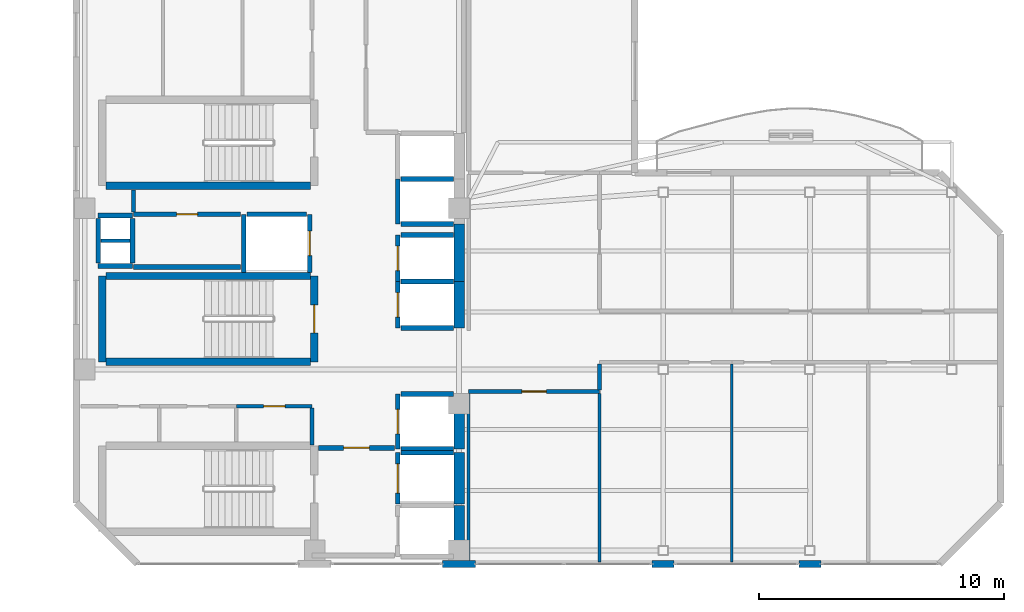
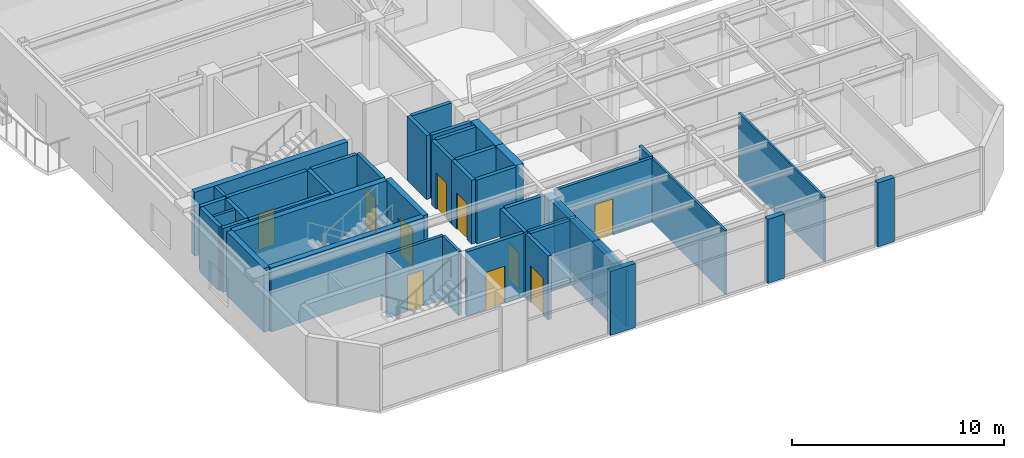
# One storey, part 9 of 14: 45 walls, 10 doors, 10 openings.
"""IFC4 building model written with IfcOpenShell, lengths in metres."""

from ifc_helpers import new_model, si_unit, direction, frame, frame_2d, origin, place, context, subcontext, project, spatial, rectangle, extrude, material, layer, layer_set, type_object, element, fill, save


model = new_model("IFC4")

# Units and contexts
model_context = context("Model", 3, precision=1e-05, world=origin(), true_north=direction((0.0, 1.0)))
body_context = subcontext(model_context, "Body", "Model", "MODEL_VIEW")
ifc_project = project(units=[si_unit("LENGTHUNIT", "METRE"), si_unit("AREAUNIT", "SQUARE_METRE"), si_unit("VOLUMEUNIT", "CUBIC_METRE"), si_unit("PLANEANGLEUNIT", "RADIAN"), si_unit("MASSUNIT", "GRAM", prefix="KILO")], contexts=[model_context])

# Site, building, storey
site_placement = place(None, origin())
site = spatial("IfcSite", under=ifc_project, at=site_placement, CompositionType="ELEMENT")
building_placement = place(site_placement, origin())
building = spatial("IfcBuilding", under=site, at=building_placement, Name="Mawjaban Terraces University", CompositionType="ELEMENT")
storey_placement = place(building_placement, frame((0.0, 0.0, 256.0)))
storey = spatial("IfcBuildingStorey", under=building, at=storey_placement, Name="L62", CompositionType="ELEMENT", Elevation=256.0)

# Walls
ifc_material_1 = material(Name="Concrete C50/60", Category="concrete")
ifc_layer_1 = layer(ifc_material_1, 0.419921875)
ifc_layer_set_1 = layer_set([ifc_layer_1], Name="Concrete C50/60")
wall_type_1 = type_object("IfcWallType", Name="CoreShearWall_420", PredefinedType="SHEAR", material=ifc_layer_set_1)
wall_1_placement = place(storey_placement, frame((37.659912109375, 0.300048828125, 0.0), z_axis=(0.0, 0.0, 1.0), x_axis=(0.0, 1.0, 0.0)))
element("IfcWall", 1, at=wall_1_placement, inside=storey, type_object=wall_type_1, Name="L62 Lift FL-1 Hoistway Wall East", PredefinedType="SHEAR", context=body_context, shape_type="SweptSolid", body=[
    extrude(rectangle(XDim=2.099853515625, YDim=0.419921875, at=frame_2d((1.0498046875, 0.0))), origin(), (0.0, 0.0, 1.0), 3.68994140625),
])
wall_2_placement = place(storey_placement, frame((37.659912109375, 2.449951171875, 0.0), z_axis=(0.0, 0.0, 1.0), x_axis=(0.0, 1.0, 0.0)))
element("IfcWall", 2, at=wall_2_placement, inside=storey, type_object=wall_type_1, Name="L62 Lift FL-2 Hoistway Wall East", PredefinedType="SHEAR", context=body_context, shape_type="SweptSolid", body=[
    extrude(rectangle(XDim=2.10009765625, YDim=0.419921875, at=frame_2d((1.050048828125, 0.0))), origin(), (0.0, 0.0, 1.0), 3.68994140625),
])
wall_3_placement = place(storey_placement, frame((37.659912109375, 4.699951171875, 0.0), z_axis=(0.0, 0.0, 1.0), x_axis=(0.0, 1.0, 0.0)))
element("IfcWall", 3, at=wall_3_placement, inside=storey, type_object=wall_type_1, Name="L62 Lift SL-1 Hoistway Wall East", PredefinedType="SHEAR", context=body_context, shape_type="SweptSolid", body=[
    extrude(rectangle(XDim=2.25, YDim=0.419921875, at=frame_2d((1.125, 0.0))), origin(), (0.0, 0.0, 1.0), 3.68994140625),
])
wall_4_placement = place(storey_placement, frame((37.659912109375, 9.64990234375, 0.0), z_axis=(0.0, 0.0, 1.0), x_axis=(0.0, 1.0, 0.0)))
element("IfcWall", 4, at=wall_4_placement, inside=storey, type_object=wall_type_1, Name="L62 Lift PL-H1 Hoistway Wall East", PredefinedType="SHEAR", context=body_context, shape_type="SweptSolid", body=[
    extrude(rectangle(XDim=1.900146484375, YDim=0.419921875, at=frame_2d((0.9501953125, 0.0))), origin(), (0.0, 0.0, 1.0), 3.68994140625),
])
wall_5_placement = place(storey_placement, frame((37.659912109375, 11.550048828125, 0.0), z_axis=(0.0, 0.0, 1.0), x_axis=(0.0, 1.0, 0.0)))
element("IfcWall", 5, at=wall_5_placement, inside=storey, type_object=wall_type_1, Name="L62 Lift PL-H2 Hoistway Wall East", PredefinedType="SHEAR", context=body_context, shape_type="SweptSolid", body=[
    extrude(rectangle(XDim=2.349853515625, YDim=0.419921875, at=frame_2d((1.1748046875, 0.0))), origin(), (0.0, 0.0, 1.0), 3.68994140625),
])

# Wall, opening, door
ifc_material_2 = material(Name="Fire-rated gypsum board on steel stud", Category="steel")
ifc_layer_2 = layer(ifc_material_2, 0.159912109375)
ifc_layer_set_2 = layer_set([ifc_layer_2], Name="Fire-rated gypsum board on steel stud")
wall_type_2 = type_object("IfcWallType", Name="CorridorPartition_160", PredefinedType="PARTITIONING", material=ifc_layer_set_2)
wall_6_placement = place(storey_placement, frame((28.550048828125, 6.449951171875, 0.0), z_axis=(0.0, 0.0, 1.0), x_axis=(1.0, 0.0, 0.0)))
wall_6 = element("IfcWall", 6, at=wall_6_placement, inside=storey, type_object=wall_type_2, Name="L62 Core Washroom Lobby Partition 6", PredefinedType="PARTITIONING", context=body_context, shape_type="SweptSolid", body=[
    extrude(rectangle(XDim=3.099853515625, YDim=0.159912109375, at=frame_2d((1.5498046875, 0.0))), origin(), (0.0, 0.0, 1.0), 3.68994140625),
])
opening_1_placement = place(wall_6_placement, frame((1.110107421875, 0.0, 0.0)))
opening_1 = element("IfcOpeningElement", 7, at=opening_1_placement, cuts=wall_6, Name="Opening ID-088", PredefinedType="OPENING", context=body_context, shape_type="SweptSolid", body=[
    extrude(rectangle(XDim=0.8798828125, YDim=2.10009765625, at=frame_2d((0.43994140625, 1.050048828125))), frame((0.0, 0.08984375, 0.0), z_axis=(0.0, -1.0, 0.0), x_axis=(1.0, 0.0, 0.0)), (0.0, 0.0, 1.0), 0.179931640625),
])
ifc_material_3 = material(Name="Powder-coated steel frame and solid acoustic timber leaf", Category="steel")
door_type_1 = type_object("IfcDoorType", Name="ToiletDoor_880x2100", OperationType="NOTDEFINED", PredefinedType="DOOR", material=ifc_material_3)
door_1_placement = place(opening_1_placement, origin())
door_1 = element("IfcDoor", 8, at=door_1_placement, inside=storey, type_object=door_type_1, Name="L62 Accessible Toilet Door", OperationType="SINGLE_SWING_RIGHT", OverallHeight=2.10009765625, OverallWidth=0.8798828125, PredefinedType="DOOR", context=body_context, shape_type="SweptSolid", body=[
    extrude(rectangle(XDim=0.8798828125, YDim=2.10009765625, at=frame_2d((0.43994140625, 1.050048828125))), frame((0.0, 0.02490234375, 0.0), z_axis=(0.0, -1.0, 0.0), x_axis=(1.0, 0.0, 0.0)), (0.0, 0.0, 1.0), 0.050048828125),
])
fill(opening_1, door_1)

wall_7_placement = place(storey_placement, frame((38.050048828125, 7.050048828125, 0.0), z_axis=(0.0, 0.0, 1.0), x_axis=(1.0, 0.0, 0.0)))
wall_7 = element("IfcWall", 9, at=wall_7_placement, inside=storey, type_object=wall_type_2, Name="L62 Upper Research Hub Concourse Partition 16", PredefinedType="PARTITIONING", context=body_context, shape_type="SweptSolid", body=[
    extrude(rectangle(XDim=5.349853515625, YDim=0.159912109375, at=frame_2d((2.6748046875, 0.0))), origin(), (0.0, 0.0, 1.0), 3.68994140625),
])
opening_2_placement = place(wall_7_placement, frame((2.175048828125, 0.0, 0.0)))
opening_2 = element("IfcOpeningElement", 10, at=opening_2_placement, cuts=wall_7, Name="Opening ID-100", PredefinedType="OPENING", context=body_context, shape_type="SweptSolid", body=[
    extrude(rectangle(XDim=1.0, YDim=2.10009765625, at=frame_2d((0.5, 1.050048828125))), frame((0.0, 0.08984375, 0.0), z_axis=(0.0, -1.0, 0.0), x_axis=(1.0, 0.0, 0.0)), (0.0, 0.0, 1.0), 0.179931640625),
])
door_type_2 = type_object("IfcDoorType", Name="ClassroomDoor_1000x2100", OperationType="NOTDEFINED", PredefinedType="DOOR", material=ifc_material_3)
door_2_placement = place(opening_2_placement, origin())
door_2 = element("IfcDoor", 11, at=door_2_placement, inside=storey, type_object=door_type_2, Name="L62 Classroom 1 Door", OperationType="SINGLE_SWING_RIGHT", OverallHeight=2.10009765625, OverallWidth=1.0, PredefinedType="DOOR", context=body_context, shape_type="SweptSolid", body=[
    extrude(rectangle(XDim=1.0, YDim=2.10009765625, at=frame_2d((0.5, 1.050048828125))), frame((0.0, 0.02490234375, 0.0), z_axis=(0.0, -1.0, 0.0), x_axis=(1.0, 0.0, 0.0)), (0.0, 0.0, 1.0), 0.050048828125),
])
fill(opening_2, door_2)

# Walls
wall_8_placement = place(storey_placement, frame((24.35009765625, 15.2900390625, 0.0), z_axis=(0.0, 0.0, 1.0), x_axis=(0.0, -1.0, 0.0)))
element("IfcWall", 12, at=wall_8_placement, inside=storey, type_object=wall_type_2, Name="L62 Core Riser Access Passage Partition 25", PredefinedType="PARTITIONING", context=body_context, shape_type="SweptSolid", body=[
    extrude(rectangle(XDim=0.89501953125, YDim=0.159912109375, at=frame_2d((0.447509765625, 0.0))), origin(), (0.0, 0.0, 1.0), 3.68994140625),
])
wall_9_placement = place(storey_placement, frame((31.64990234375, 4.860107421875, 0.0), z_axis=(0.0, 0.0, 1.0), x_axis=(0.0, 1.0, 0.0)))
element("IfcWall", 13, at=wall_9_placement, inside=storey, type_object=wall_type_2, Name="L62 Accessible Toilet Partition 30", PredefinedType="PARTITIONING", context=body_context, shape_type="SweptSolid", body=[
    extrude(rectangle(XDim=1.514892578125, YDim=0.159912109375, at=frame_2d((0.75732421875, 0.0))), origin(), (0.0, 0.0, 1.0), 3.68994140625),
])
wall_10_placement = place(storey_placement, frame((43.39990234375, 7.125, 0.0), z_axis=(0.0, 0.0, 1.0), x_axis=(0.0, 1.0, 0.0)))
element("IfcWall", 14, at=wall_10_placement, inside=storey, type_object=wall_type_2, Name="L62 Upper Research Hub Concourse Partition 42", PredefinedType="PARTITIONING", context=body_context, shape_type="SweptSolid", body=[
    extrude(rectangle(XDim=1.050048828125, YDim=0.159912109375, at=frame_2d((0.52490234375, 0.0))), origin(), (0.0, 0.0, 1.0), 3.68994140625),
])
ifc_material_4 = material(Name="Insulated terracotta rainscreen on concrete backup C40/50", Category="masonry")
ifc_layer_3 = layer(ifc_material_4, 0.27490234375)
ifc_layer_set_3 = layer_set([ifc_layer_3], Name="Insulated terracotta rainscreen on concrete backup C40/50")
wall_type_3 = type_object("IfcWallType", Name="ExtTerracottaWall_275", PredefinedType="SOLIDWALL", material=ifc_layer_set_3)
wall_11_placement = place(storey_placement, frame((36.97509765625, 0.0, 0.0), z_axis=(0.0, 0.0, 1.0), x_axis=(1.0, 0.0, 0.0)))
element("IfcWall", 15, at=wall_11_placement, inside=storey, type_object=wall_type_3, Name="L62 Exterior Terracotta Pier Wall 1.2", PredefinedType="SOLIDWALL", context=body_context, shape_type="SweptSolid", body=[
    extrude(rectangle(XDim=1.349853515625, YDim=0.27490234375, at=frame_2d((0.6748046875, 0.0))), origin(), (0.0, 0.0, 1.0), 3.68994140625),
])
for number, where, z_axis, x_axis, name in (
    (16, (45.550048828125, 0.0, 0.0), (0.0, 0.0, 1.0), (1.0, 0.0, 0.0), "L62 Exterior Terracotta Pier Wall 1.3"),
    (17, (51.550048828125, 0.0, 0.0), (0.0, 0.0, 1.0), (1.0, 0.0, 0.0), "L62 Exterior Terracotta Pier Wall 1.4"),
):
    element("IfcWall", number, at=place(storey_placement, frame(where, z_axis=z_axis, x_axis=x_axis)), inside=storey, type_object=wall_type_3, Name=name, PredefinedType="SOLIDWALL", context=body_context, shape_type="SweptSolid", body=[
        extrude(rectangle(XDim=0.89990234375, YDim=0.27490234375, at=frame_2d((0.449951171875, 0.0))), origin(), (0.0, 0.0, 1.0), 3.68994140625),
    ])

# Wall, opening, door
ifc_material_5 = material(Name="Concrete C40/50", Category="concrete")
ifc_layer_4 = layer(ifc_material_5, 0.199951171875)
ifc_layer_set_4 = layer_set([ifc_layer_4], Name="Concrete C40/50")
wall_type_4 = type_object("IfcWallType", Name="FireLobbyWall_200", PredefinedType="SOLIDWALL", material=ifc_layer_set_4)
wall_12_placement = place(storey_placement, frame((35.14990234375, 4.550048828125, 0.0), z_axis=(0.0, 0.0, 1.0), x_axis=(0.0, -1.0, 0.0)))
wall_12 = element("IfcWall", 18, at=wall_12_placement, inside=storey, type_object=wall_type_4, Name="L62 Lift FL-2 Hoistway Wall West", PredefinedType="SOLIDWALL", context=body_context, shape_type="SweptSolid", body=[
    extrude(rectangle(XDim=2.10009765625, YDim=0.199951171875, at=frame_2d((1.050048828125, 0.0))), origin(), (0.0, 0.0, 1.0), 3.68994140625),
])
opening_3_placement = place(wall_12_placement, frame((0.449951171875, 0.0, 0.0)))
opening_3 = element("IfcOpeningElement", 19, at=opening_3_placement, cuts=wall_12, Name="Opening LD-FL-2", PredefinedType="OPENING", context=body_context, shape_type="SweptSolid", body=[
    extrude(rectangle(XDim=1.199951171875, YDim=2.14990234375, at=frame_2d((0.60009765625, 1.074951171875))), frame((0.0, 0.10986328125, 0.0), z_axis=(0.0, -1.0, 0.0), x_axis=(1.0, 0.0, 0.0)), (0.0, 0.0, 1.0), 0.219970703125),
])
ifc_material_6 = material(Name="Powder-coated steel frame and fire-rated steel-faced leaf", Category="steel")
door_type_3 = type_object("IfcDoorType", Name="LiftLandingFSAE_1200x2150", OperationType="NOTDEFINED", PredefinedType="DOOR", material=ifc_material_6)
door_3_placement = place(opening_3_placement, origin())
door_3 = element("IfcDoor", 20, at=door_3_placement, inside=storey, type_object=door_type_3, Name="L62 Lift FL-2 Sliding Landing Door", OperationType="DOUBLE_DOOR_SLIDING", OverallHeight=2.14990234375, OverallWidth=1.199951171875, PredefinedType="DOOR", context=body_context, shape_type="SweptSolid", body=[
    extrude(rectangle(XDim=1.199951171875, YDim=2.14990234375, at=frame_2d((0.60009765625, 1.074951171875))), frame((0.0, 0.02490234375, 0.0), z_axis=(0.0, -1.0, 0.0), x_axis=(1.0, 0.0, 0.0)), (0.0, 0.0, 1.0), 0.050048828125),
])
fill(opening_3, door_3)

# Wall
wall_13_placement = place(storey_placement, frame((37.419921875, 4.550048828125, 0.0), z_axis=(0.0, 0.0, 1.0), x_axis=(-1.0, 0.0, 0.0)))
element("IfcWall", 21, at=wall_13_placement, inside=storey, type_object=wall_type_4, Name="L62 Lift FL-2 Hoistway Wall North", PredefinedType="SOLIDWALL", context=body_context, shape_type="SweptSolid", body=[
    extrude(rectangle(XDim=2.139892578125, YDim=0.199951171875, at=frame_2d((1.06982421875, 0.0))), origin(), (0.0, 0.0, 1.0), 3.68994140625),
])

# Wall, opening, door
wall_14_placement = place(storey_placement, frame((35.14990234375, 6.949951171875, 0.0), z_axis=(0.0, 0.0, 1.0), x_axis=(0.0, -1.0, 0.0)))
wall_14 = element("IfcWall", 22, at=wall_14_placement, inside=storey, type_object=wall_type_4, Name="L62 Lift SL-1 Hoistway Wall West", PredefinedType="SOLIDWALL", context=body_context, shape_type="SweptSolid", body=[
    extrude(rectangle(XDim=2.25, YDim=0.199951171875, at=frame_2d((1.125, 0.0))), origin(), (0.0, 0.0, 1.0), 3.68994140625),
])
opening_4_placement = place(wall_14_placement, frame((0.625, 0.0, 0.0)))
opening_4 = element("IfcOpeningElement", 23, at=opening_4_placement, cuts=wall_14, Name="Opening LD-SL-1", PredefinedType="OPENING", context=body_context, shape_type="SweptSolid", body=[
    extrude(rectangle(XDim=1.0, YDim=2.10009765625, at=frame_2d((0.5, 1.050048828125))), frame((0.0, 0.10986328125, 0.0), z_axis=(0.0, -1.0, 0.0), x_axis=(1.0, 0.0, 0.0)), (0.0, 0.0, 1.0), 0.219970703125),
])
door_type_4 = type_object("IfcDoorType", Name="LiftLandingSliding_1000x2100", OperationType="NOTDEFINED", PredefinedType="DOOR", material=ifc_material_6)
door_4_placement = place(opening_4_placement, origin())
door_4 = element("IfcDoor", 24, at=door_4_placement, inside=storey, type_object=door_type_4, Name="L62 Lift SL-1 Sliding Landing Door", OperationType="DOUBLE_DOOR_SLIDING", OverallHeight=2.10009765625, OverallWidth=1.0, PredefinedType="DOOR", context=body_context, shape_type="SweptSolid", body=[
    extrude(rectangle(XDim=1.0, YDim=2.10009765625, at=frame_2d((0.5, 1.050048828125))), frame((0.0, 0.02490234375, 0.0), z_axis=(0.0, -1.0, 0.0), x_axis=(1.0, 0.0, 0.0)), (0.0, 0.0, 1.0), 0.050048828125),
])
fill(opening_4, door_4)

# Walls
for number, where, z_axis, x_axis, name in (
    (25, (35.280029296875, 4.699951171875, 0.0), (0.0, 0.0, 1.0), (1.0, 0.0, 0.0), "L62 Lift SL-1 Hoistway Wall South"),
    (26, (37.419921875, 6.949951171875, 0.0), (0.0, 0.0, 1.0), (-1.0, 0.0, 0.0), "L62 Lift SL-1 Hoistway Wall North"),
):
    element("IfcWall", number, at=place(storey_placement, frame(where, z_axis=z_axis, x_axis=x_axis)), inside=storey, type_object=wall_type_4, Name=name, PredefinedType="SOLIDWALL", context=body_context, shape_type="SweptSolid", body=[
        extrude(rectangle(XDim=2.139892578125, YDim=0.199951171875, at=frame_2d((1.06982421875, 0.0))), origin(), (0.0, 0.0, 1.0), 3.68994140625),
    ])

# Wall, opening, door
wall_15_placement = place(storey_placement, frame((35.14990234375, 11.550048828125, 0.0), z_axis=(0.0, 0.0, 1.0), x_axis=(0.0, -1.0, 0.0)))
wall_15 = element("IfcWall", 27, at=wall_15_placement, inside=storey, type_object=wall_type_4, Name="L62 Lift PL-H1 Hoistway Wall West", PredefinedType="SOLIDWALL", context=body_context, shape_type="SweptSolid", body=[
    extrude(rectangle(XDim=1.900146484375, YDim=0.199951171875, at=frame_2d((0.9501953125, 0.0))), origin(), (0.0, 0.0, 1.0), 3.68994140625),
])
opening_5_placement = place(wall_15_placement, frame((0.449951171875, 0.0, 0.0)))
opening_5 = element("IfcOpeningElement", 28, at=opening_5_placement, cuts=wall_15, Name="Opening LD-PL-H1", PredefinedType="OPENING", context=body_context, shape_type="SweptSolid", body=[
    extrude(rectangle(XDim=1.0, YDim=2.10009765625, at=frame_2d((0.5, 1.050048828125))), frame((0.0, 0.10986328125, 0.0), z_axis=(0.0, -1.0, 0.0), x_axis=(1.0, 0.0, 0.0)), (0.0, 0.0, 1.0), 0.219970703125),
])
door_5_placement = place(opening_5_placement, origin())
door_5 = element("IfcDoor", 29, at=door_5_placement, inside=storey, type_object=door_type_4, Name="L62 Lift PL-H1 Sliding Landing Door", OperationType="DOUBLE_DOOR_SLIDING", OverallHeight=2.10009765625, OverallWidth=1.0, PredefinedType="DOOR", context=body_context, shape_type="SweptSolid", body=[
    extrude(rectangle(XDim=1.0, YDim=2.10009765625, at=frame_2d((0.5, 1.050048828125))), frame((0.0, 0.02490234375, 0.0), z_axis=(0.0, -1.0, 0.0), x_axis=(1.0, 0.0, 0.0)), (0.0, 0.0, 1.0), 0.050048828125),
])
fill(opening_5, door_5)

# Walls
for number, where, z_axis, x_axis, name in (
    (30, (35.280029296875, 9.64990234375, 0.0), (0.0, 0.0, 1.0), (1.0, 0.0, 0.0), "L62 Lift PL-H1 Hoistway Wall South"),
    (31, (37.419921875, 11.550048828125, 0.0), (0.0, 0.0, 1.0), (-1.0, 0.0, 0.0), "L62 Lift PL-H1 Hoistway Wall North"),
):
    element("IfcWall", number, at=place(storey_placement, frame(where, z_axis=z_axis, x_axis=x_axis)), inside=storey, type_object=wall_type_4, Name=name, PredefinedType="SOLIDWALL", context=body_context, shape_type="SweptSolid", body=[
        extrude(rectangle(XDim=2.139892578125, YDim=0.199951171875, at=frame_2d((1.06982421875, 0.0))), origin(), (0.0, 0.0, 1.0), 3.68994140625),
    ])

# Wall, opening, door
wall_16_placement = place(storey_placement, frame((35.14990234375, 13.449951171875, 0.0), z_axis=(0.0, 0.0, 1.0), x_axis=(0.0, -1.0, 0.0)))
wall_16 = element("IfcWall", 32, at=wall_16_placement, inside=storey, type_object=wall_type_4, Name="L62 Lift PL-H2 Hoistway Wall West", PredefinedType="SOLIDWALL", context=body_context, shape_type="SweptSolid", body=[
    extrude(rectangle(XDim=1.89990234375, YDim=0.199951171875, at=frame_2d((0.949951171875, 0.0))), origin(), (0.0, 0.0, 1.0), 3.68994140625),
])
opening_6_placement = place(wall_16_placement, frame((0.449951171875, 0.0, 0.0)))
opening_6 = element("IfcOpeningElement", 33, at=opening_6_placement, cuts=wall_16, Name="Opening LD-PL-H2", PredefinedType="OPENING", context=body_context, shape_type="SweptSolid", body=[
    extrude(rectangle(XDim=1.0, YDim=2.10009765625, at=frame_2d((0.5, 1.050048828125))), frame((0.0, 0.10986328125, 0.0), z_axis=(0.0, -1.0, 0.0), x_axis=(1.0, 0.0, 0.0)), (0.0, 0.0, 1.0), 0.219970703125),
])
door_6_placement = place(opening_6_placement, origin())
door_6 = element("IfcDoor", 34, at=door_6_placement, inside=storey, type_object=door_type_4, Name="L62 Lift PL-H2 Sliding Landing Door", OperationType="DOUBLE_DOOR_SLIDING", OverallHeight=2.10009765625, OverallWidth=1.0, PredefinedType="DOOR", context=body_context, shape_type="SweptSolid", body=[
    extrude(rectangle(XDim=1.0, YDim=2.10009765625, at=frame_2d((0.5, 1.050048828125))), frame((0.0, 0.02490234375, 0.0), z_axis=(0.0, -1.0, 0.0), x_axis=(1.0, 0.0, 0.0)), (0.0, 0.0, 1.0), 0.050048828125),
])
fill(opening_6, door_6)

# Walls
wall_17_placement = place(storey_placement, frame((37.419921875, 13.449951171875, 0.0), z_axis=(0.0, 0.0, 1.0), x_axis=(-1.0, 0.0, 0.0)))
element("IfcWall", 35, at=wall_17_placement, inside=storey, type_object=wall_type_4, Name="L62 Lift PL-H2 Hoistway Wall North", PredefinedType="SOLIDWALL", context=body_context, shape_type="SweptSolid", body=[
    extrude(rectangle(XDim=2.139892578125, YDim=0.199951171875, at=frame_2d((1.06982421875, 0.0))), origin(), (0.0, 0.0, 1.0), 3.68994140625),
])
wall_18_placement = place(storey_placement, frame((28.85009765625, 14.300048828125, 0.0), z_axis=(0.0, 0.0, 1.0), x_axis=(0.0, -1.0, 0.0)))
element("IfcWall", 36, at=wall_18_placement, inside=storey, type_object=wall_type_4, Name="L62 Lift PL-H3 Hoistway Wall West", PredefinedType="SOLIDWALL", context=body_context, shape_type="SweptSolid", body=[
    extrude(rectangle(XDim=2.3701171875, YDim=0.199951171875, at=frame_2d((1.18505859375, 0.0))), origin(), (0.0, 0.0, 1.0), 3.68994140625),
])

# Wall, opening, door
wall_19_placement = place(storey_placement, frame((31.550048828125, 11.929931640625, 0.0), z_axis=(0.0, 0.0, 1.0), x_axis=(0.0, 1.0, 0.0)))
wall_19 = element("IfcWall", 37, at=wall_19_placement, inside=storey, type_object=wall_type_4, Name="L62 Lift PL-H3 Hoistway Wall East", PredefinedType="SOLIDWALL", context=body_context, shape_type="SweptSolid", body=[
    extrude(rectangle(XDim=2.3701171875, YDim=0.199951171875, at=frame_2d((1.18505859375, 0.0))), origin(), (0.0, 0.0, 1.0), 3.68994140625),
])
opening_7_placement = place(wall_19_placement, frame((0.68505859375, 0.0, 0.0)))
opening_7 = element("IfcOpeningElement", 38, at=opening_7_placement, cuts=wall_19, Name="Opening LD-PL-H3", PredefinedType="OPENING", context=body_context, shape_type="SweptSolid", body=[
    extrude(rectangle(XDim=1.0, YDim=2.10009765625, at=frame_2d((0.5, 1.050048828125))), frame((0.0, 0.10986328125, 0.0), z_axis=(0.0, -1.0, 0.0), x_axis=(1.0, 0.0, 0.0)), (0.0, 0.0, 1.0), 0.219970703125),
])
door_7_placement = place(opening_7_placement, origin())
door_7 = element("IfcDoor", 39, at=door_7_placement, inside=storey, type_object=door_type_4, Name="L62 Lift PL-H3 Sliding Landing Door", OperationType="DOUBLE_DOOR_SLIDING", OverallHeight=2.10009765625, OverallWidth=1.0, PredefinedType="DOOR", context=body_context, shape_type="SweptSolid", body=[
    extrude(rectangle(XDim=1.0, YDim=2.10009765625, at=frame_2d((0.5, 1.050048828125))), frame((0.0, 0.02490234375, 0.0), z_axis=(0.0, -1.0, 0.0), x_axis=(1.0, 0.0, 0.0)), (0.0, 0.0, 1.0), 0.050048828125),
])
fill(opening_7, door_7)

# Walls
wall_20_placement = place(storey_placement, frame((31.419921875, 14.300048828125, 0.0), z_axis=(0.0, 0.0, 1.0), x_axis=(-1.0, 0.0, 0.0)))
element("IfcWall", 40, at=wall_20_placement, inside=storey, type_object=wall_type_4, Name="L62 Lift PL-H3 Hoistway Wall North", PredefinedType="SOLIDWALL", context=body_context, shape_type="SweptSolid", body=[
    extrude(rectangle(XDim=2.43994140625, YDim=0.199951171875, at=frame_2d((1.219970703125, 0.0))), origin(), (0.0, 0.0, 1.0), 3.68994140625),
])
wall_21_placement = place(storey_placement, frame((35.14990234375, 15.75, 0.0), z_axis=(0.0, 0.0, 1.0), x_axis=(0.0, -1.0, 0.0)))
element("IfcWall", 41, at=wall_21_placement, inside=storey, type_object=wall_type_4, Name="L62 Lift OL-1 Hoistway Wall West", PredefinedType="SOLIDWALL", context=body_context, shape_type="SweptSolid", body=[
    extrude(rectangle(XDim=1.85009765625, YDim=0.199951171875, at=frame_2d((0.925048828125, 0.0))), origin(), (0.0, 0.0, 1.0), 3.68994140625),
])
for number, where, z_axis, x_axis, name in (
    (42, (35.280029296875, 13.89990234375, 0.0), (0.0, 0.0, 1.0), (1.0, 0.0, 0.0), "L62 Lift OL-1 Hoistway Wall South"),
    (43, (37.419921875, 15.75, 0.0), (0.0, 0.0, 1.0), (-1.0, 0.0, 0.0), "L62 Lift OL-1 Hoistway Wall North"),
):
    element("IfcWall", number, at=place(storey_placement, frame(where, z_axis=z_axis, x_axis=x_axis)), inside=storey, type_object=wall_type_4, Name=name, PredefinedType="SOLIDWALL", context=body_context, shape_type="SweptSolid", body=[
        extrude(rectangle(XDim=2.139892578125, YDim=0.199951171875, at=frame_2d((1.06982421875, 0.0))), origin(), (0.0, 0.0, 1.0), 3.68994140625),
    ])
for number, where, z_axis, x_axis, name in (
    (44, (22.89990234375, 14.25, 0.0), (0.0, 0.0, 1.0), (1.0, 0.0, 0.0), "L62 MEP Riser Shaft Wall N"),
    (45, (22.89990234375, 12.179931640625, 0.0), (0.0, 0.0, 1.0), (1.0, 0.0, 0.0), "L62 MEP Riser Shaft Wall S"),
):
    element("IfcWall", number, at=place(storey_placement, frame(where, z_axis=z_axis, x_axis=x_axis)), inside=storey, type_object=wall_type_4, Name=name, PredefinedType="SOLIDWALL", context=body_context, shape_type="SweptSolid", body=[
        extrude(rectangle(XDim=1.400146484375, YDim=0.199951171875, at=frame_2d((0.7001953125, 0.0))), origin(), (0.0, 0.0, 1.0), 3.68994140625),
    ])
for number, where, z_axis, x_axis, name in (
    (46, (24.300048828125, 12.300048828125, 0.0), (0.0, 0.0, 1.0), (0.0, 1.0, 0.0), "L62 MEP Riser Shaft Wall E"),
    (47, (22.89990234375, 12.300048828125, 0.0), (0.0, 0.0, 1.0), (0.0, 1.0, 0.0), "L62 MEP Riser Shaft Wall W"),
):
    element("IfcWall", number, at=place(storey_placement, frame(where, z_axis=z_axis, x_axis=x_axis)), inside=storey, type_object=wall_type_4, Name=name, PredefinedType="SOLIDWALL", context=body_context, shape_type="SweptSolid", body=[
        extrude(rectangle(XDim=1.829833984375, YDim=0.199951171875, at=frame_2d((0.9150390625, 0.0))), origin(), (0.0, 0.0, 1.0), 3.68994140625),
    ])
wall_22_placement = place(storey_placement, frame((24.35009765625, 12.14990234375, 0.0), z_axis=(0.0, 0.0, 1.0), x_axis=(1.0, 0.0, 0.0)))
element("IfcWall", 48, at=wall_22_placement, inside=storey, type_object=wall_type_4, Name="L62 IT and Telecoms Riser Room Partition 2", PredefinedType="SOLIDWALL", context=body_context, shape_type="SweptSolid", body=[
    extrude(rectangle(XDim=4.369873046875, YDim=0.199951171875, at=frame_2d((2.18505859375, 0.0))), origin(), (0.0, 0.0, 1.0), 3.68994140625),
])

# Wall, opening, door
wall_23_placement = place(storey_placement, frame((24.35009765625, 14.300048828125, 0.0), z_axis=(0.0, 0.0, 1.0), x_axis=(1.0, 0.0, 0.0)))
wall_23 = element("IfcWall", 49, at=wall_23_placement, inside=storey, type_object=wall_type_4, Name="L62 Core Riser Access Passage Partition 3", PredefinedType="SOLIDWALL", context=body_context, shape_type="SweptSolid", body=[
    extrude(rectangle(XDim=4.369873046875, YDim=0.199951171875, at=frame_2d((2.18505859375, 0.0))), origin(), (0.0, 0.0, 1.0), 3.68994140625),
])
opening_8_placement = place(wall_23_placement, frame((1.760009765625, 0.0, 0.0)))
opening_8 = element("IfcOpeningElement", 50, at=opening_8_placement, cuts=wall_23, Name="Opening FD-085", PredefinedType="OPENING", context=body_context, shape_type="SweptSolid", body=[
    extrude(rectangle(XDim=0.85009765625, YDim=2.10009765625, at=frame_2d((0.425048828125, 1.050048828125))), frame((0.0, 0.10986328125, 0.0), z_axis=(0.0, -1.0, 0.0), x_axis=(1.0, 0.0, 0.0)), (0.0, 0.0, 1.0), 0.219970703125),
])
door_type_5 = type_object("IfcDoorType", Name="FireRiserDoor_850x2100", OperationType="NOTDEFINED", PredefinedType="DOOR", material=ifc_material_6)
door_8_placement = place(opening_8_placement, origin())
door_8 = element("IfcDoor", 51, at=door_8_placement, inside=storey, type_object=door_type_5, Name="L62 IT and Telecoms Riser Room Door", OperationType="SINGLE_SWING_LEFT", OverallHeight=2.10009765625, OverallWidth=0.85009765625, PredefinedType="DOOR", context=body_context, shape_type="SweptSolid", body=[
    extrude(rectangle(XDim=0.85009765625, YDim=2.10009765625, at=frame_2d((0.425048828125, 1.050048828125))), frame((0.0, 0.02490234375, 0.0), z_axis=(0.0, -1.0, 0.0), x_axis=(1.0, 0.0, 0.0)), (0.0, 0.0, 1.0), 0.050048828125),
])
fill(opening_8, door_8)

wall_24_placement = place(storey_placement, frame((35.02001953125, 4.75, 0.0), z_axis=(0.0, 0.0, 1.0), x_axis=(-1.0, 0.0, 0.0)))
wall_24 = element("IfcWall", 52, at=wall_24_placement, inside=storey, type_object=wall_type_4, Name="L62 Firefighting Lift Lobby Partition 11", PredefinedType="SOLIDWALL", context=body_context, shape_type="SweptSolid", body=[
    extrude(rectangle(XDim=3.110107421875, YDim=0.199951171875, at=frame_2d((1.55517578125, 0.0))), origin(), (0.0, 0.0, 1.0), 3.68994140625),
])
opening_9_placement = place(wall_24_placement, frame((1.030029296875, 0.0, 0.0)))
opening_9 = element("IfcOpeningElement", 53, at=opening_9_placement, cuts=wall_24, Name="Opening FD-105", PredefinedType="OPENING", context=body_context, shape_type="SweptSolid", body=[
    extrude(rectangle(XDim=1.050048828125, YDim=2.14990234375, at=frame_2d((0.52490234375, 1.074951171875))), frame((0.0, 0.10986328125, 0.0), z_axis=(0.0, -1.0, 0.0), x_axis=(1.0, 0.0, 0.0)), (0.0, 0.0, 1.0), 0.219970703125),
])
door_type_6 = type_object("IfcDoorType", Name="FireLobbyDoor_1050x2150", OperationType="NOTDEFINED", PredefinedType="DOOR", material=ifc_material_6)
door_9_placement = place(opening_9_placement, origin())
door_9 = element("IfcDoor", 54, at=door_9_placement, inside=storey, type_object=door_type_6, Name="L62 Firefighting Lift Lobby Door", OperationType="SINGLE_SWING_LEFT", OverallHeight=2.14990234375, OverallWidth=1.050048828125, PredefinedType="DOOR", context=body_context, shape_type="SweptSolid", body=[
    extrude(rectangle(XDim=1.050048828125, YDim=2.14990234375, at=frame_2d((0.52490234375, 1.074951171875))), frame((0.0, 0.02490234375, 0.0), z_axis=(0.0, -1.0, 0.0), x_axis=(1.0, 0.0, 0.0)), (0.0, 0.0, 1.0), 0.050048828125),
])
fill(opening_9, door_9)

# Walls
ifc_material_7 = material(Name="Moisture-resistant gypsum board on steel stud", Category="steel")
ifc_layer_5 = layer(ifc_material_7, 0.14501953125)
ifc_layer_set_5 = layer_set([ifc_layer_5], Name="Moisture-resistant gypsum board on steel stud")
wall_type_5 = type_object("IfcWallType", Name="LabPartition_145", PredefinedType="PARTITIONING", material=ifc_layer_set_5)
wall_25_placement = place(storey_placement, frame((23.010009765625, 13.22509765625, 0.0), z_axis=(0.0, 0.0, 1.0), x_axis=(1.0, 0.0, 0.0)))
element("IfcWall", 55, at=wall_25_placement, inside=storey, type_object=wall_type_5, Name="L62 MEP Riser Shaft Wall M", PredefinedType="PARTITIONING", context=body_context, shape_type="SweptSolid", body=[
    extrude(rectangle(XDim=1.179931640625, YDim=0.14501953125, at=frame_2d((0.58984375, 0.0))), origin(), (0.0, 0.0, 1.0), 3.68994140625),
])
ifc_material_8 = material(Name="Gypsum plasterboard on steel stud", Category="steel")
ifc_layer_6 = layer(ifc_material_8, 0.125)
ifc_layer_set_6 = layer_set([ifc_layer_6], Name="Gypsum plasterboard on steel stud")
wall_type_6 = type_object("IfcWallType", Name="OfficePartition_125", PredefinedType="PARTITIONING", material=ifc_layer_set_6)
wall_26_placement = place(storey_placement, frame((38.050048828125, 6.97509765625, 0.0), z_axis=(0.0, 0.0, 1.0), x_axis=(0.0, -1.0, 0.0)))
element("IfcWall", 56, at=wall_26_placement, inside=storey, type_object=wall_type_6, Name="L62 Classroom 1 Partition 38", PredefinedType="PARTITIONING", context=body_context, shape_type="SweptSolid", body=[
    extrude(rectangle(XDim=6.842041015625, YDim=0.125, at=frame_2d((3.4208984375, 0.0))), origin(), (0.0, 0.0, 1.0), 3.220947265625),
])
wall_27_placement = place(storey_placement, frame((43.39990234375, 0.090087890625, 0.0), z_axis=(0.0, 0.0, 1.0), x_axis=(0.0, 1.0, 0.0)))
element("IfcWall", 57, at=wall_27_placement, inside=storey, type_object=wall_type_6, Name="L62 Classroom 1 Partition 41", PredefinedType="PARTITIONING", context=body_context, shape_type="SweptSolid", body=[
    extrude(rectangle(XDim=6.885009765625, YDim=0.125, at=frame_2d((3.4423828125, 0.0))), origin(), (0.0, 0.0, 1.0), 3.68994140625),
])
ifc_material_9 = material(Name="Acoustic operable panel partition", Category="masonry")
ifc_layer_7 = layer(ifc_material_9, 0.110107421875)
ifc_layer_set_7 = layer_set([ifc_layer_7], Name="Acoustic operable panel partition")
wall_type_7 = type_object("IfcWallType", Name="OperableSeminarWall_110", PredefinedType="MOVABLE", material=ifc_layer_set_7)
wall_28_placement = place(storey_placement, frame((48.81005859375, 0.090087890625, 0.0), z_axis=(0.0, 0.0, 1.0), x_axis=(0.0, 1.0, 0.0)))
element("IfcWall", 58, at=wall_28_placement, inside=storey, type_object=wall_type_7, Name="L62 Seminar Room 2 Partition 44", PredefinedType="MOVABLE", context=body_context, shape_type="SweptSolid", body=[
    extrude(rectangle(XDim=8.0849609375, YDim=0.110107421875, at=frame_2d((4.04248046875, 0.0))), origin(), (0.0, 0.0, 1.0), 3.68994140625),
])
ifc_material_10 = material(Name="Concrete C60/75", Category="concrete")
ifc_layer_8 = layer(ifc_material_10, 0.300048828125)
ifc_layer_set_8 = layer_set([ifc_layer_8], Name="Concrete C60/75")
wall_type_8 = type_object("IfcWallType", Name="StairShaftWall_300", PredefinedType="SHEAR", material=ifc_layer_set_8)
for number, where, z_axis, x_axis, name in (
    (59, (23.219970703125, 15.469970703125, 0.0), (0.0, 0.0, 1.0), (1.0, 0.0, 0.0), "L62 ST-2 Stair Shaft Wall 3"),
    (60, (31.580078125, 11.780029296875, 0.0), (0.0, 0.0, 1.0), (-1.0, 0.0, 0.0), "L62 ST-3 Stair Shaft Wall 1"),
):
    element("IfcWall", number, at=place(storey_placement, frame(where, z_axis=z_axis, x_axis=x_axis)), inside=storey, type_object=wall_type_8, Name=name, PredefinedType="SHEAR", context=body_context, shape_type="SweptSolid", body=[
        extrude(rectangle(XDim=8.360107421875, YDim=0.300048828125, at=frame_2d((4.18017578125, 0.0))), origin(), (0.0, 0.0, 1.0), 3.68994140625),
    ])
wall_29_placement = place(storey_placement, frame((23.070068359375, 11.780029296875, 0.0), z_axis=(0.0, 0.0, 1.0), x_axis=(0.0, -1.0, 0.0)))
element("IfcWall", 61, at=wall_29_placement, inside=storey, type_object=wall_type_8, Name="L62 ST-3 Stair Shaft Wall 2", PredefinedType="SHEAR", context=body_context, shape_type="SweptSolid", body=[
    extrude(rectangle(XDim=3.510009765625, YDim=0.300048828125, at=frame_2d((1.7548828125, 0.0))), origin(), (0.0, 0.0, 1.0), 3.68994140625),
])
wall_30_placement = place(storey_placement, frame((23.219970703125, 8.27001953125, 0.0), z_axis=(0.0, 0.0, 1.0), x_axis=(1.0, 0.0, 0.0)))
element("IfcWall", 62, at=wall_30_placement, inside=storey, type_object=wall_type_8, Name="L62 ST-3 Stair Shaft Wall 3", PredefinedType="SHEAR", context=body_context, shape_type="SweptSolid", body=[
    extrude(rectangle(XDim=8.360107421875, YDim=0.300048828125, at=frame_2d((4.18017578125, 0.0))), origin(), (0.0, 0.0, 1.0), 3.68994140625),
])

# Wall, opening, door
wall_31_placement = place(storey_placement, frame((31.72998046875, 8.27001953125, 0.0), z_axis=(0.0, 0.0, 1.0), x_axis=(0.0, 1.0, 0.0)))
wall_31 = element("IfcWall", 63, at=wall_31_placement, inside=storey, type_object=wall_type_8, Name="L62 ST-3 Stair Shaft Wall 4", PredefinedType="SHEAR", context=body_context, shape_type="SweptSolid", body=[
    extrude(rectangle(XDim=3.510009765625, YDim=0.300048828125, at=frame_2d((1.7548828125, 0.0))), origin(), (0.0, 0.0, 1.0), 3.68994140625),
])
opening_10_placement = place(wall_31_placement, frame((1.179931640625, 0.0, 0.0)))
opening_10 = element("IfcOpeningElement", 64, at=opening_10_placement, cuts=wall_31, Name="Opening FD-115", PredefinedType="OPENING", context=body_context, shape_type="SweptSolid", body=[
    extrude(rectangle(XDim=1.14990234375, YDim=2.14990234375, at=frame_2d((0.574951171875, 1.074951171875))), frame((0.0, 0.159912109375, 0.0), z_axis=(0.0, -1.0, 0.0), x_axis=(1.0, 0.0, 0.0)), (0.0, 0.0, 1.0), 0.320068359375),
])
door_type_7 = type_object("IfcDoorType", Name="FireStairDoor_1150x2150", OperationType="NOTDEFINED", PredefinedType="DOOR", material=ifc_material_6)
door_10_placement = place(opening_10_placement, origin())
door_10 = element("IfcDoor", 65, at=door_10_placement, inside=storey, type_object=door_type_7, Name="L62 ST-3 Pressurised Stair Fire Door", OperationType="SINGLE_SWING_RIGHT", OverallHeight=2.14990234375, OverallWidth=1.14990234375, PredefinedType="DOOR", context=body_context, shape_type="SweptSolid", body=[
    extrude(rectangle(XDim=1.14990234375, YDim=2.14990234375, at=frame_2d((0.574951171875, 1.074951171875))), frame((0.0, 0.02490234375, 0.0), z_axis=(0.0, -1.0, 0.0), x_axis=(1.0, 0.0, 0.0)), (0.0, 0.0, 1.0), 0.050048828125),
])
fill(opening_10, door_10)

save(model, "model.ifc")
